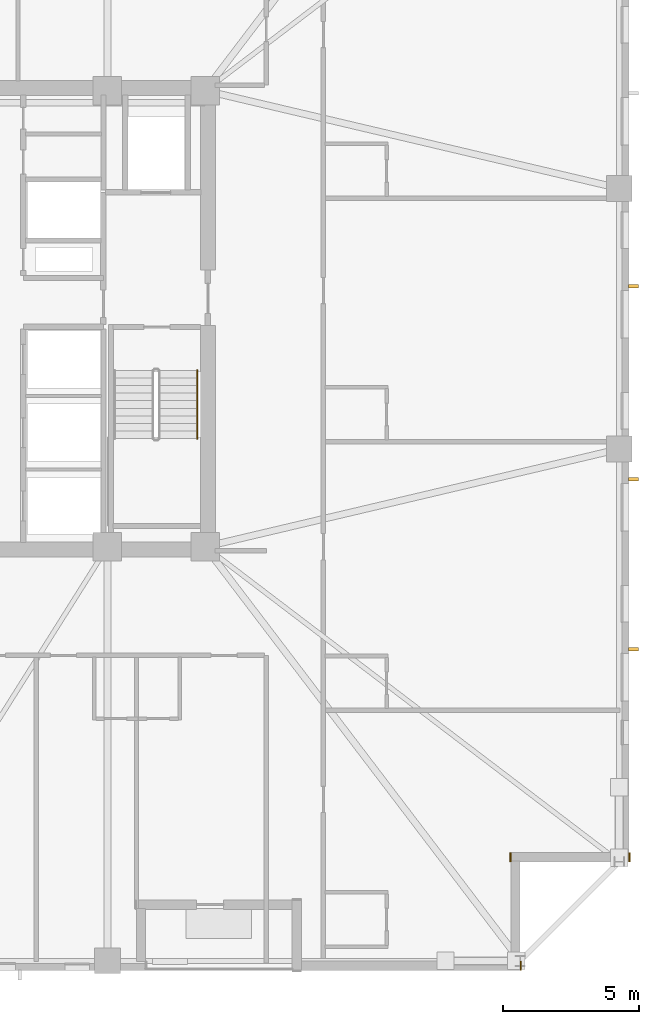
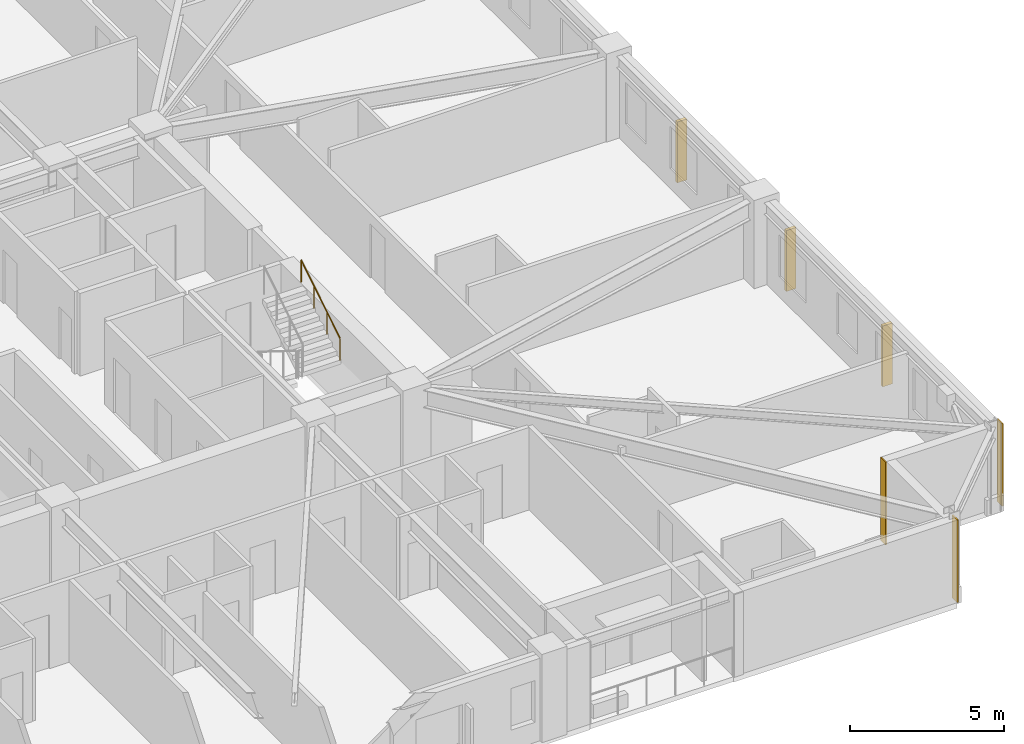
# One storey, part 9 of 11: 3 coverings, 3 shading devices, 1 railing.
"""IFC4 building model written with IfcOpenShell, lengths in metres."""

from ifc_helpers import new_model, si_unit, direction, frame, frame_2d, origin, origin_2d, place, context, subcontext, project, spatial, rectangle, circle, extrude, material, layer, layer_set, type_object, element, save


model = new_model("IFC4")

# Units and contexts
model_context = context("Model", 3, precision=1e-05, world=origin(), true_north=direction((0.0, 1.0)))
body_context = subcontext(model_context, "Body", "Model", "MODEL_VIEW")
ifc_project = project(units=[si_unit("LENGTHUNIT", "METRE"), si_unit("AREAUNIT", "SQUARE_METRE"), si_unit("VOLUMEUNIT", "CUBIC_METRE"), si_unit("PLANEANGLEUNIT", "RADIAN"), si_unit("MASSUNIT", "GRAM", prefix="KILO")], contexts=[model_context])

# Site, building, storey
site_placement = place(None, origin())
site = spatial("IfcSite", under=ifc_project, at=site_placement, CompositionType="ELEMENT")
building_placement = place(site_placement, origin())
building = spatial("IfcBuilding", under=site, at=building_placement, Name="Cairnveth Concourse Tower", CompositionType="ELEMENT")
storey_placement = place(building_placement, frame((0.0, 0.0, 165.5)))
storey = spatial("IfcBuildingStorey", under=building, at=storey_placement, Name="L45", CompositionType="ELEMENT", Elevation=165.5)

# Coverings
ifc_material_1 = material(Name="Dressed Melbourne Bluestone Cladding", Category="masonry")
ifc_layer = layer(ifc_material_1, 0.050048828125)
ifc_layer_set = layer_set([ifc_layer], Name="Dressed Melbourne Bluestone Cladding")
covering_type = type_object("IfcCoveringType", Name="DRESSED BLUESTONE PLINTH CLADDING 50", PredefinedType="CLADDING", material=ifc_layer_set)
for number, where, z_axis, x_axis, name in (
    (1, (76.02001953125, 19.340087890625, 0.0), (0.0, 0.0, 1.0), (0.0, -1.0, 0.0), "Melbourne Bluestone Corner Quoin L45-669"),
    (2, (71.639892578125, 19.340087890625, 0.0), (0.0, 0.0, 1.0), (0.0, -1.0, 0.0), "Melbourne Bluestone Corner Quoin L45-670"),
    (3, (72.02001953125, 15.340087890625, 0.0), (0.0, 0.0, 1.0), (0.0, -1.0, 0.0), "Melbourne Bluestone Corner Quoin L45-671"),
):
    element("IfcCovering", number, at=place(storey_placement, frame(where, z_axis=z_axis, x_axis=x_axis)), inside=storey, type_object=covering_type, Name=name, PredefinedType="CLADDING", context=body_context, shape_type="SweptSolid", body=[
        extrude(rectangle(XDim=0.340087890625, YDim=0.050048828125, at=frame_2d((0.169921875, 0.0))), origin(), (0.0, 0.0, 1.0), 3.280029296875),
    ])

# Shading devices
ifc_material_2 = material(Name="Architectural Bronze Anodised Aluminium 6063-T6", Category="aluminium")
shading_device_type = type_object("IfcShadingDeviceType", Name="GOTHIC BRONZE VERTICAL LANCET FIN", PredefinedType="USERDEFINED", material=ifc_material_2)
for number, where, z_axis, x_axis, name in (
    (4, (76.175048828125, 40.194091796875, 0.030029296875), (0.0, 0.0, 1.0), (0.0, 1.0, 0.0), "Gothic Bronze Vertical Fin L45-9-5"),
    (5, (76.175048828125, 33.0869140625, 0.030029296875), (0.0, 0.0, 1.0), (0.0, 1.0, 0.0), "Gothic Bronze Vertical Fin L45-9-7"),
    (6, (76.175048828125, 26.829833984375, 0.030029296875), (0.0, 0.0, 1.0), (0.0, 1.0, 0.0), "Gothic Bronze Vertical Fin L45-9-9"),
):
    element("IfcShadingDevice", number, at=place(storey_placement, frame(where, z_axis=z_axis, x_axis=x_axis)), inside=storey, type_object=shading_device_type, Name=name, ObjectType="VERTICAL FIN", PredefinedType="USERDEFINED", context=body_context, shape_type="SweptSolid", body=[
        extrude(rectangle(XDim=0.1201171875, YDim=0.360107421875, at=origin_2d()), origin(), (0.0, 0.0, 1.0), 2.419921875),
    ])

# Railing
ifc_material_3 = material(Name="Steel Grade 350", Category="steel")
railing_type = type_object("IfcRailingType", Name="STAIR WALL HANDRAIL 900", PredefinedType="HANDRAIL", material=ifc_material_3)
railing_placement = place(storey_placement, frame((60.110107421875, 34.580078125, 1.925048828125)))
element("IfcRailing", 7, at=railing_placement, inside=storey, type_object=railing_type, Name="L45 ST-2 stair handrail 2", PredefinedType="HANDRAIL", context=body_context, shape_type="SweptSolid", body=[
    extrude(circle(Radius=0.02392578125, at=origin_2d()), frame((0.0, 0.0, 0.8759765625), z_axis=(0.0, 0.848007534815, 0.529984170421), x_axis=(-1.0, 0.0, 0.0)), (0.0, 0.0, 1.0), 2.9716796875),
    extrude(circle(Radius=0.02099609375, at=origin_2d()), origin(), (0.0, 0.0, 1.0), 0.851806640625),
    extrude(circle(Radius=0.02099609375, at=origin_2d()), frame((0.0, 0.840087890625, 0.52490234375)), (0.0, 0.0, 1.0), 0.851806640625),
    extrude(circle(Radius=0.02099609375, at=origin_2d()), frame((0.0, 1.679931640625, 1.050048828125)), (0.0, 0.0, 1.0), 0.851806640625),
    extrude(circle(Radius=0.02099609375, at=origin_2d()), frame((0.0, 2.52001953125, 1.574951171875)), (0.0, 0.0, 1.0), 0.851806640625),
])

save(model, "model.ifc")
